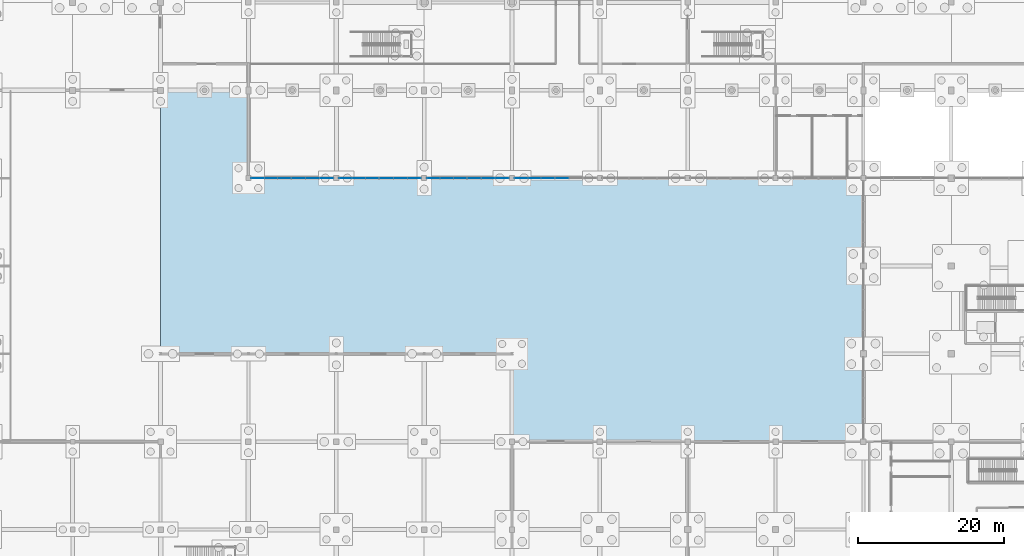
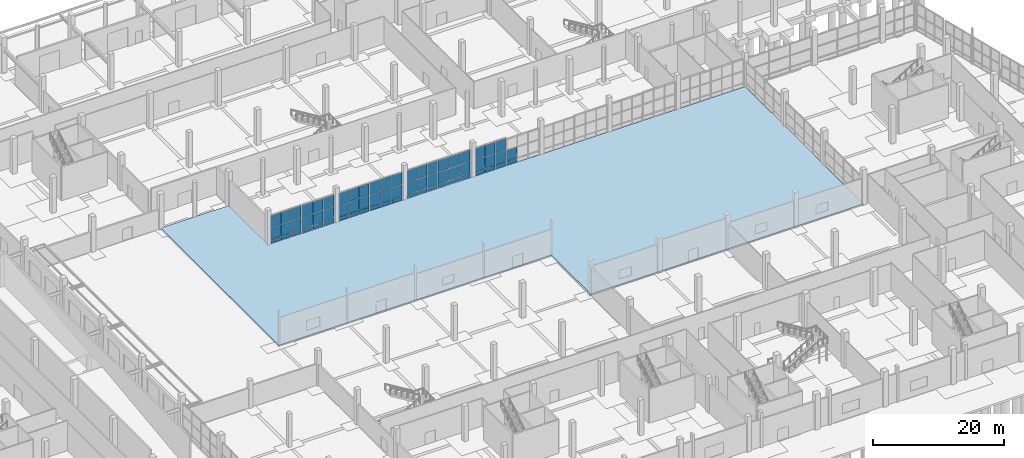
# One storey, part 64 of 117: 65 plates, 1 slab, 8 elements without a shape of their own.
"""IFC4 building model written with IfcOpenShell, lengths in metres."""

from ifc_helpers import new_model, si_unit, direction, frame, origin, origin_2d, place, context, subcontext, project, spatial, polyline, rectangle, outline, extrude, material, layer, layer_set, type_object, element, aggregate, save


model = new_model("IFC4")

# Units and contexts
model_context = context("Model", 3, precision=1e-05, world=origin(), true_north=direction((0.0, 1.0)))
body_context = subcontext(model_context, "Body", "Model", "MODEL_VIEW")
ifc_project = project(units=[si_unit("LENGTHUNIT", "METRE"), si_unit("AREAUNIT", "SQUARE_METRE"), si_unit("VOLUMEUNIT", "CUBIC_METRE"), si_unit("PLANEANGLEUNIT", "RADIAN"), si_unit("MASSUNIT", "GRAM", prefix="KILO")], contexts=[model_context])

# Site, building, storey
site_placement = place(None, origin())
site = spatial("IfcSite", under=ifc_project, at=site_placement, CompositionType="ELEMENT")
building_placement = place(site_placement, origin())
building = spatial("IfcBuilding", under=site, at=building_placement, Name="Kamomehara Wholesale Market", CompositionType="ELEMENT")
storey_placement = place(building_placement, origin())
storey = spatial("IfcBuildingStorey", under=building, at=storey_placement, Name="L00", CompositionType="ELEMENT", Elevation=0.0)

# Curtain wall, plates
ifc_material_1 = material(Name="Anodised aluminium 6063-T5", Category="aluminium")
curtain_wall_type = type_object("IfcCurtainWallType", Name="CW-UN-03", PredefinedType="NOTDEFINED", material=ifc_material_1)
curtain_wall_1_placement = place(storey_placement, origin())
curtain_wall_1 = element("IfcCurtainWall", 1, at=curtain_wall_1_placement, inside=storey, type_object=curtain_wall_type, Name="Unitised curtain wall CW-015", PredefinedType="NOTDEFINED")
ifc_material_2 = material(Name="Solar-control Low-E double glazing", Category="glass")
ifc_layer_1 = layer(ifc_material_2, 0.028076171875)
ifc_layer_set_1 = layer_set([ifc_layer_1], Name="Solar-control Low-E double glazing")
plate_type_1 = type_object("IfcPlateType", Name="CW-PNL-GLZ", PredefinedType="CURTAIN_PANEL", material=ifc_layer_set_1)
plate_1_placement = place(storey_placement, frame((82.64990234375, 95.97998046875, 0.82958984375), z_axis=(0.0, 0.0, 1.0), x_axis=(-1.0, 0.0, 0.0)))
plate_1 = element("IfcPlate", 2, at=plate_1_placement, type_object=plate_type_1, Name="Curtain panel CW-015.0.1", PredefinedType="CURTAIN_PANEL", context=body_context, shape_type="SweptSolid", body=[
    extrude(rectangle(XDim=1.820068359375, YDim=0.028076171875, at=origin_2d()), origin(), (0.0, 0.0, 1.0), 2.198974609375),
])
plate_2_placement = place(storey_placement, frame((82.64990234375, 95.97998046875, 3.08837890625), z_axis=(0.0, 0.0, 1.0), x_axis=(-1.0, 0.0, 0.0)))
plate_2 = element("IfcPlate", 3, at=plate_2_placement, type_object=plate_type_1, Name="Curtain panel CW-015.0.2", PredefinedType="CURTAIN_PANEL", context=body_context, shape_type="SweptSolid", body=[
    extrude(rectangle(XDim=1.820068359375, YDim=0.028076171875, at=origin_2d()), origin(), (0.0, 0.0, 1.0), 2.158935546875),
])
plate_3_placement = place(storey_placement, frame((80.75, 95.97998046875, 0.82958984375), z_axis=(0.0, 0.0, 1.0), x_axis=(-1.0, 0.0, 0.0)))
plate_3 = element("IfcPlate", 4, at=plate_3_placement, type_object=plate_type_1, Name="Curtain panel CW-015.1.1", PredefinedType="CURTAIN_PANEL", context=body_context, shape_type="SweptSolid", body=[
    extrude(rectangle(XDim=1.820068359375, YDim=0.028076171875, at=origin_2d()), origin(), (0.0, 0.0, 1.0), 2.198974609375),
])
plate_4_placement = place(storey_placement, frame((80.75, 95.97998046875, 3.08837890625), z_axis=(0.0, 0.0, 1.0), x_axis=(-1.0, 0.0, 0.0)))
plate_4 = element("IfcPlate", 5, at=plate_4_placement, type_object=plate_type_1, Name="Curtain panel CW-015.1.2", PredefinedType="CURTAIN_PANEL", context=body_context, shape_type="SweptSolid", body=[
    extrude(rectangle(XDim=1.820068359375, YDim=0.028076171875, at=origin_2d()), origin(), (0.0, 0.0, 1.0), 2.158935546875),
])
plate_5_placement = place(storey_placement, frame((78.85009765625, 95.97998046875, 0.82958984375), z_axis=(0.0, 0.0, 1.0), x_axis=(-1.0, 0.0, 0.0)))
plate_5 = element("IfcPlate", 6, at=plate_5_placement, type_object=plate_type_1, Name="Curtain panel CW-015.2.1", PredefinedType="CURTAIN_PANEL", context=body_context, shape_type="SweptSolid", body=[
    extrude(rectangle(XDim=1.820068359375, YDim=0.028076171875, at=origin_2d()), origin(), (0.0, 0.0, 1.0), 2.198974609375),
])
plate_6_placement = place(storey_placement, frame((78.85009765625, 95.97998046875, 3.08837890625), z_axis=(0.0, 0.0, 1.0), x_axis=(-1.0, 0.0, 0.0)))
plate_6 = element("IfcPlate", 7, at=plate_6_placement, type_object=plate_type_1, Name="Curtain panel CW-015.2.2", PredefinedType="CURTAIN_PANEL", context=body_context, shape_type="SweptSolid", body=[
    extrude(rectangle(XDim=1.820068359375, YDim=0.028076171875, at=origin_2d()), origin(), (0.0, 0.0, 1.0), 2.158935546875),
])

curtain_wall_2_placement = place(storey_placement, origin())
curtain_wall_2 = element("IfcCurtainWall", 8, at=curtain_wall_2_placement, inside=storey, type_object=curtain_wall_type, Name="Unitised curtain wall CW-016", PredefinedType="NOTDEFINED")
plate_7_placement = place(storey_placement, frame((76.89306640625, 95.97998046875, 0.82958984375), z_axis=(0.0, 0.0, 1.0), x_axis=(-1.0, 0.0, 0.0)))
plate_7 = element("IfcPlate", 9, at=plate_7_placement, type_object=plate_type_1, Name="Curtain panel CW-016.0.1", PredefinedType="CURTAIN_PANEL", context=body_context, shape_type="SweptSolid", body=[
    extrude(rectangle(XDim=1.73291015625, YDim=0.028076171875, at=origin_2d()), origin(), (0.0, 0.0, 1.0), 2.198974609375),
])
plate_8_placement = place(storey_placement, frame((76.89306640625, 95.97998046875, 3.08837890625), z_axis=(0.0, 0.0, 1.0), x_axis=(-1.0, 0.0, 0.0)))
plate_8 = element("IfcPlate", 10, at=plate_8_placement, type_object=plate_type_1, Name="Curtain panel CW-016.0.2", PredefinedType="CURTAIN_PANEL", context=body_context, shape_type="SweptSolid", body=[
    extrude(rectangle(XDim=1.73291015625, YDim=0.028076171875, at=origin_2d()), origin(), (0.0, 0.0, 1.0), 2.158935546875),
])
plate_9_placement = place(storey_placement, frame((75.080078125, 95.97998046875, 0.82958984375), z_axis=(0.0, 0.0, 1.0), x_axis=(-1.0, 0.0, 0.0)))
plate_9 = element("IfcPlate", 11, at=plate_9_placement, type_object=plate_type_1, Name="Curtain panel CW-016.1.1", PredefinedType="CURTAIN_PANEL", context=body_context, shape_type="SweptSolid", body=[
    extrude(rectangle(XDim=1.73291015625, YDim=0.028076171875, at=origin_2d()), origin(), (0.0, 0.0, 1.0), 2.198974609375),
])
plate_10_placement = place(storey_placement, frame((75.080078125, 95.97998046875, 3.08837890625), z_axis=(0.0, 0.0, 1.0), x_axis=(-1.0, 0.0, 0.0)))
plate_10 = element("IfcPlate", 12, at=plate_10_placement, type_object=plate_type_1, Name="Curtain panel CW-016.1.2", PredefinedType="CURTAIN_PANEL", context=body_context, shape_type="SweptSolid", body=[
    extrude(rectangle(XDim=1.73291015625, YDim=0.028076171875, at=origin_2d()), origin(), (0.0, 0.0, 1.0), 2.158935546875),
])
plate_11_placement = place(storey_placement, frame((73.26708984375, 95.97998046875, 0.82958984375), z_axis=(0.0, 0.0, 1.0), x_axis=(-1.0, 0.0, 0.0)))
plate_11 = element("IfcPlate", 13, at=plate_11_placement, type_object=plate_type_1, Name="Curtain panel CW-016.2.1", PredefinedType="CURTAIN_PANEL", context=body_context, shape_type="SweptSolid", body=[
    extrude(rectangle(XDim=1.73291015625, YDim=0.028076171875, at=origin_2d()), origin(), (0.0, 0.0, 1.0), 2.198974609375),
])
plate_12_placement = place(storey_placement, frame((73.26708984375, 95.97998046875, 3.08837890625), z_axis=(0.0, 0.0, 1.0), x_axis=(-1.0, 0.0, 0.0)))
plate_12 = element("IfcPlate", 14, at=plate_12_placement, type_object=plate_type_1, Name="Curtain panel CW-016.2.2", PredefinedType="CURTAIN_PANEL", context=body_context, shape_type="SweptSolid", body=[
    extrude(rectangle(XDim=1.73291015625, YDim=0.028076171875, at=origin_2d()), origin(), (0.0, 0.0, 1.0), 2.158935546875),
])

curtain_wall_3_placement = place(storey_placement, origin())
curtain_wall_3 = element("IfcCurtainWall", 15, at=curtain_wall_3_placement, inside=storey, type_object=curtain_wall_type, Name="Unitised curtain wall CW-017", PredefinedType="NOTDEFINED")
plate_13_placement = place(storey_placement, frame((94.64990234375, 95.97998046875, 0.830078125), z_axis=(0.0, 0.0, 1.0), x_axis=(-1.0, 0.0, 0.0)))
plate_13 = element("IfcPlate", 16, at=plate_13_placement, type_object=plate_type_1, Name="Curtain panel CW-017.0.1", PredefinedType="CURTAIN_PANEL", context=body_context, shape_type="SweptSolid", body=[
    extrude(rectangle(XDim=1.820068359375, YDim=0.028076171875, at=origin_2d()), origin(), (0.0, 0.0, 1.0), 2.174072265625),
])
plate_14_placement = place(storey_placement, frame((94.64990234375, 95.97998046875, 3.06396484375), z_axis=(0.0, 0.0, 1.0), x_axis=(-1.0, 0.0, 0.0)))
plate_14 = element("IfcPlate", 17, at=plate_14_placement, type_object=plate_type_1, Name="Curtain panel CW-017.0.2", PredefinedType="CURTAIN_PANEL", context=body_context, shape_type="SweptSolid", body=[
    extrude(rectangle(XDim=1.820068359375, YDim=0.028076171875, at=origin_2d()), origin(), (0.0, 0.0, 1.0), 2.134033203125),
])
plate_15_placement = place(storey_placement, frame((92.75, 95.97998046875, 0.830078125), z_axis=(0.0, 0.0, 1.0), x_axis=(-1.0, 0.0, 0.0)))
plate_15 = element("IfcPlate", 18, at=plate_15_placement, type_object=plate_type_1, Name="Curtain panel CW-017.1.1", PredefinedType="CURTAIN_PANEL", context=body_context, shape_type="SweptSolid", body=[
    extrude(rectangle(XDim=1.820068359375, YDim=0.028076171875, at=origin_2d()), origin(), (0.0, 0.0, 1.0), 2.174072265625),
])
plate_16_placement = place(storey_placement, frame((92.75, 95.97998046875, 3.06396484375), z_axis=(0.0, 0.0, 1.0), x_axis=(-1.0, 0.0, 0.0)))
plate_16 = element("IfcPlate", 19, at=plate_16_placement, type_object=plate_type_1, Name="Curtain panel CW-017.1.2", PredefinedType="CURTAIN_PANEL", context=body_context, shape_type="SweptSolid", body=[
    extrude(rectangle(XDim=1.820068359375, YDim=0.028076171875, at=origin_2d()), origin(), (0.0, 0.0, 1.0), 2.134033203125),
])
plate_17_placement = place(storey_placement, frame((90.85009765625, 95.97998046875, 0.830078125), z_axis=(0.0, 0.0, 1.0), x_axis=(-1.0, 0.0, 0.0)))
plate_17 = element("IfcPlate", 20, at=plate_17_placement, type_object=plate_type_1, Name="Curtain panel CW-017.2.1", PredefinedType="CURTAIN_PANEL", context=body_context, shape_type="SweptSolid", body=[
    extrude(rectangle(XDim=1.820068359375, YDim=0.028076171875, at=origin_2d()), origin(), (0.0, 0.0, 1.0), 2.174072265625),
])
plate_18_placement = place(storey_placement, frame((90.85009765625, 95.97998046875, 3.06396484375), z_axis=(0.0, 0.0, 1.0), x_axis=(-1.0, 0.0, 0.0)))
plate_18 = element("IfcPlate", 21, at=plate_18_placement, type_object=plate_type_1, Name="Curtain panel CW-017.2.2", PredefinedType="CURTAIN_PANEL", context=body_context, shape_type="SweptSolid", body=[
    extrude(rectangle(XDim=1.820068359375, YDim=0.028076171875, at=origin_2d()), origin(), (0.0, 0.0, 1.0), 2.134033203125),
])

curtain_wall_4_placement = place(storey_placement, origin())
curtain_wall_4 = element("IfcCurtainWall", 22, at=curtain_wall_4_placement, inside=storey, type_object=curtain_wall_type, Name="Unitised curtain wall CW-018", PredefinedType="NOTDEFINED")
plate_19_placement = place(storey_placement, frame((88.89306640625, 95.97998046875, 0.830078125), z_axis=(0.0, 0.0, 1.0), x_axis=(-1.0, 0.0, 0.0)))
plate_19 = element("IfcPlate", 23, at=plate_19_placement, type_object=plate_type_1, Name="Curtain panel CW-018.0.1", PredefinedType="CURTAIN_PANEL", context=body_context, shape_type="SweptSolid", body=[
    extrude(rectangle(XDim=1.73291015625, YDim=0.028076171875, at=origin_2d()), origin(), (0.0, 0.0, 1.0), 2.174072265625),
])
plate_20_placement = place(storey_placement, frame((88.89306640625, 95.97998046875, 3.06396484375), z_axis=(0.0, 0.0, 1.0), x_axis=(-1.0, 0.0, 0.0)))
plate_20 = element("IfcPlate", 24, at=plate_20_placement, type_object=plate_type_1, Name="Curtain panel CW-018.0.2", PredefinedType="CURTAIN_PANEL", context=body_context, shape_type="SweptSolid", body=[
    extrude(rectangle(XDim=1.73291015625, YDim=0.028076171875, at=origin_2d()), origin(), (0.0, 0.0, 1.0), 2.134033203125),
])
plate_21_placement = place(storey_placement, frame((87.080078125, 95.97998046875, 0.830078125), z_axis=(0.0, 0.0, 1.0), x_axis=(-1.0, 0.0, 0.0)))
plate_21 = element("IfcPlate", 25, at=plate_21_placement, type_object=plate_type_1, Name="Curtain panel CW-018.1.1", PredefinedType="CURTAIN_PANEL", context=body_context, shape_type="SweptSolid", body=[
    extrude(rectangle(XDim=1.73291015625, YDim=0.028076171875, at=origin_2d()), origin(), (0.0, 0.0, 1.0), 2.174072265625),
])
plate_22_placement = place(storey_placement, frame((87.080078125, 95.97998046875, 3.06396484375), z_axis=(0.0, 0.0, 1.0), x_axis=(-1.0, 0.0, 0.0)))
plate_22 = element("IfcPlate", 26, at=plate_22_placement, type_object=plate_type_1, Name="Curtain panel CW-018.1.2", PredefinedType="CURTAIN_PANEL", context=body_context, shape_type="SweptSolid", body=[
    extrude(rectangle(XDim=1.73291015625, YDim=0.028076171875, at=origin_2d()), origin(), (0.0, 0.0, 1.0), 2.134033203125),
])
plate_23_placement = place(storey_placement, frame((85.26708984375, 95.97998046875, 0.830078125), z_axis=(0.0, 0.0, 1.0), x_axis=(-1.0, 0.0, 0.0)))
plate_23 = element("IfcPlate", 27, at=plate_23_placement, type_object=plate_type_1, Name="Curtain panel CW-018.2.1", PredefinedType="CURTAIN_PANEL", context=body_context, shape_type="SweptSolid", body=[
    extrude(rectangle(XDim=1.73291015625, YDim=0.028076171875, at=origin_2d()), origin(), (0.0, 0.0, 1.0), 2.174072265625),
])
plate_24_placement = place(storey_placement, frame((85.26708984375, 95.97998046875, 3.06396484375), z_axis=(0.0, 0.0, 1.0), x_axis=(-1.0, 0.0, 0.0)))
plate_24 = element("IfcPlate", 28, at=plate_24_placement, type_object=plate_type_1, Name="Curtain panel CW-018.2.2", PredefinedType="CURTAIN_PANEL", context=body_context, shape_type="SweptSolid", body=[
    extrude(rectangle(XDim=1.73291015625, YDim=0.028076171875, at=origin_2d()), origin(), (0.0, 0.0, 1.0), 2.134033203125),
])

curtain_wall_5_placement = place(storey_placement, origin())
curtain_wall_5 = element("IfcCurtainWall", 29, at=curtain_wall_5_placement, inside=storey, type_object=curtain_wall_type, Name="Unitised curtain wall CW-019", PredefinedType="NOTDEFINED")
plate_25_placement = place(storey_placement, frame((106.64990234375, 95.97998046875, 0.83056640625), z_axis=(0.0, 0.0, 1.0), x_axis=(-1.0, 0.0, 0.0)))
plate_25 = element("IfcPlate", 30, at=plate_25_placement, type_object=plate_type_1, Name="Curtain panel CW-019.0.1", PredefinedType="CURTAIN_PANEL", context=body_context, shape_type="SweptSolid", body=[
    extrude(rectangle(XDim=1.820068359375, YDim=0.028076171875, at=origin_2d()), origin(), (0.0, 0.0, 1.0), 2.178955078125),
])
plate_26_placement = place(storey_placement, frame((106.64990234375, 95.97998046875, 3.0693359375), z_axis=(0.0, 0.0, 1.0), x_axis=(-1.0, 0.0, 0.0)))
plate_26 = element("IfcPlate", 31, at=plate_26_placement, type_object=plate_type_1, Name="Curtain panel CW-019.0.2", PredefinedType="CURTAIN_PANEL", context=body_context, shape_type="SweptSolid", body=[
    extrude(rectangle(XDim=1.820068359375, YDim=0.028076171875, at=origin_2d()), origin(), (0.0, 0.0, 1.0), 2.138916015625),
])
plate_27_placement = place(storey_placement, frame((104.75, 95.97998046875, 0.83056640625), z_axis=(0.0, 0.0, 1.0), x_axis=(-1.0, 0.0, 0.0)))
plate_27 = element("IfcPlate", 32, at=plate_27_placement, type_object=plate_type_1, Name="Curtain panel CW-019.1.1", PredefinedType="CURTAIN_PANEL", context=body_context, shape_type="SweptSolid", body=[
    extrude(rectangle(XDim=1.820068359375, YDim=0.028076171875, at=origin_2d()), origin(), (0.0, 0.0, 1.0), 2.178955078125),
])
plate_28_placement = place(storey_placement, frame((104.75, 95.97998046875, 3.0693359375), z_axis=(0.0, 0.0, 1.0), x_axis=(-1.0, 0.0, 0.0)))
plate_28 = element("IfcPlate", 33, at=plate_28_placement, type_object=plate_type_1, Name="Curtain panel CW-019.1.2", PredefinedType="CURTAIN_PANEL", context=body_context, shape_type="SweptSolid", body=[
    extrude(rectangle(XDim=1.820068359375, YDim=0.028076171875, at=origin_2d()), origin(), (0.0, 0.0, 1.0), 2.138916015625),
])
plate_29_placement = place(storey_placement, frame((102.85009765625, 95.97998046875, 0.83056640625), z_axis=(0.0, 0.0, 1.0), x_axis=(-1.0, 0.0, 0.0)))
plate_29 = element("IfcPlate", 34, at=plate_29_placement, type_object=plate_type_1, Name="Curtain panel CW-019.2.1", PredefinedType="CURTAIN_PANEL", context=body_context, shape_type="SweptSolid", body=[
    extrude(rectangle(XDim=1.820068359375, YDim=0.028076171875, at=origin_2d()), origin(), (0.0, 0.0, 1.0), 2.178955078125),
])
plate_30_placement = place(storey_placement, frame((102.85009765625, 95.97998046875, 3.0693359375), z_axis=(0.0, 0.0, 1.0), x_axis=(-1.0, 0.0, 0.0)))
plate_30 = element("IfcPlate", 35, at=plate_30_placement, type_object=plate_type_1, Name="Curtain panel CW-019.2.2", PredefinedType="CURTAIN_PANEL", context=body_context, shape_type="SweptSolid", body=[
    extrude(rectangle(XDim=1.820068359375, YDim=0.028076171875, at=origin_2d()), origin(), (0.0, 0.0, 1.0), 2.138916015625),
])

curtain_wall_6_placement = place(storey_placement, origin())
curtain_wall_6 = element("IfcCurtainWall", 36, at=curtain_wall_6_placement, inside=storey, type_object=curtain_wall_type, Name="Unitised curtain wall CW-020", PredefinedType="NOTDEFINED")
plate_31_placement = place(storey_placement, frame((100.89306640625, 95.97998046875, 0.83056640625), z_axis=(0.0, 0.0, 1.0), x_axis=(-1.0, 0.0, 0.0)))
plate_31 = element("IfcPlate", 37, at=plate_31_placement, type_object=plate_type_1, Name="Curtain panel CW-020.0.1", PredefinedType="CURTAIN_PANEL", context=body_context, shape_type="SweptSolid", body=[
    extrude(rectangle(XDim=1.73291015625, YDim=0.028076171875, at=origin_2d()), origin(), (0.0, 0.0, 1.0), 2.178955078125),
])
plate_32_placement = place(storey_placement, frame((100.89306640625, 95.97998046875, 3.0693359375), z_axis=(0.0, 0.0, 1.0), x_axis=(-1.0, 0.0, 0.0)))
plate_32 = element("IfcPlate", 38, at=plate_32_placement, type_object=plate_type_1, Name="Curtain panel CW-020.0.2", PredefinedType="CURTAIN_PANEL", context=body_context, shape_type="SweptSolid", body=[
    extrude(rectangle(XDim=1.73291015625, YDim=0.028076171875, at=origin_2d()), origin(), (0.0, 0.0, 1.0), 2.138916015625),
])
plate_33_placement = place(storey_placement, frame((99.080078125, 95.97998046875, 0.83056640625), z_axis=(0.0, 0.0, 1.0), x_axis=(-1.0, 0.0, 0.0)))
plate_33 = element("IfcPlate", 39, at=plate_33_placement, type_object=plate_type_1, Name="Curtain panel CW-020.1.1", PredefinedType="CURTAIN_PANEL", context=body_context, shape_type="SweptSolid", body=[
    extrude(rectangle(XDim=1.73291015625, YDim=0.028076171875, at=origin_2d()), origin(), (0.0, 0.0, 1.0), 2.178955078125),
])
plate_34_placement = place(storey_placement, frame((99.080078125, 95.97998046875, 3.0693359375), z_axis=(0.0, 0.0, 1.0), x_axis=(-1.0, 0.0, 0.0)))
plate_34 = element("IfcPlate", 40, at=plate_34_placement, type_object=plate_type_1, Name="Curtain panel CW-020.1.2", PredefinedType="CURTAIN_PANEL", context=body_context, shape_type="SweptSolid", body=[
    extrude(rectangle(XDim=1.73291015625, YDim=0.028076171875, at=origin_2d()), origin(), (0.0, 0.0, 1.0), 2.138916015625),
])
plate_35_placement = place(storey_placement, frame((97.26708984375, 95.97998046875, 0.83056640625), z_axis=(0.0, 0.0, 1.0), x_axis=(-1.0, 0.0, 0.0)))
plate_35 = element("IfcPlate", 41, at=plate_35_placement, type_object=plate_type_1, Name="Curtain panel CW-020.2.1", PredefinedType="CURTAIN_PANEL", context=body_context, shape_type="SweptSolid", body=[
    extrude(rectangle(XDim=1.73291015625, YDim=0.028076171875, at=origin_2d()), origin(), (0.0, 0.0, 1.0), 2.178955078125),
])
plate_36_placement = place(storey_placement, frame((97.26708984375, 95.97998046875, 3.0693359375), z_axis=(0.0, 0.0, 1.0), x_axis=(-1.0, 0.0, 0.0)))
plate_36 = element("IfcPlate", 42, at=plate_36_placement, type_object=plate_type_1, Name="Curtain panel CW-020.2.2", PredefinedType="CURTAIN_PANEL", context=body_context, shape_type="SweptSolid", body=[
    extrude(rectangle(XDim=1.73291015625, YDim=0.028076171875, at=origin_2d()), origin(), (0.0, 0.0, 1.0), 2.138916015625),
])

# Curtain wall, plate
curtain_wall_7_placement = place(storey_placement, origin())
curtain_wall_7 = element("IfcCurtainWall", 43, at=curtain_wall_7_placement, inside=storey, type_object=curtain_wall_type, Name="Unitised curtain wall CW-021", PredefinedType="NOTDEFINED")
plate_37_placement = place(storey_placement, frame((114.85009765625, 95.97998046875, 0.83056640625), z_axis=(0.0, 0.0, 1.0), x_axis=(-1.0, 0.0, 0.0)))
plate_37 = element("IfcPlate", 44, at=plate_37_placement, type_object=plate_type_1, Name="Curtain panel CW-021.2.1", PredefinedType="CURTAIN_PANEL", context=body_context, shape_type="SweptSolid", body=[
    extrude(rectangle(XDim=1.820068359375, YDim=0.028076171875, at=origin_2d()), origin(), (0.0, 0.0, 1.0), 2.029052734375),
])

# Curtain wall, plates
curtain_wall_8_placement = place(storey_placement, origin())
curtain_wall_8 = element("IfcCurtainWall", 45, at=curtain_wall_8_placement, inside=storey, type_object=curtain_wall_type, Name="Unitised curtain wall CW-022", PredefinedType="NOTDEFINED")
plate_38_placement = place(storey_placement, frame((112.89306640625, 95.97998046875, 0.830078125), z_axis=(0.0, 0.0, 1.0), x_axis=(-1.0, 0.0, 0.0)))
plate_38 = element("IfcPlate", 46, at=plate_38_placement, type_object=plate_type_1, Name="Curtain panel CW-022.0.1", PredefinedType="CURTAIN_PANEL", context=body_context, shape_type="SweptSolid", body=[
    extrude(rectangle(XDim=1.73291015625, YDim=0.028076171875, at=origin_2d()), origin(), (0.0, 0.0, 1.0), 2.154052734375),
])
plate_39_placement = place(storey_placement, frame((112.89306640625, 95.97998046875, 3.0439453125), z_axis=(0.0, 0.0, 1.0), x_axis=(-1.0, 0.0, 0.0)))
plate_39 = element("IfcPlate", 47, at=plate_39_placement, type_object=plate_type_1, Name="Curtain panel CW-022.0.2", PredefinedType="CURTAIN_PANEL", context=body_context, shape_type="SweptSolid", body=[
    extrude(rectangle(XDim=1.73291015625, YDim=0.028076171875, at=origin_2d()), origin(), (0.0, 0.0, 1.0), 2.114013671875),
])
plate_40_placement = place(storey_placement, frame((111.080078125, 95.97998046875, 0.830078125), z_axis=(0.0, 0.0, 1.0), x_axis=(-1.0, 0.0, 0.0)))
plate_40 = element("IfcPlate", 48, at=plate_40_placement, type_object=plate_type_1, Name="Curtain panel CW-022.1.1", PredefinedType="CURTAIN_PANEL", context=body_context, shape_type="SweptSolid", body=[
    extrude(rectangle(XDim=1.73291015625, YDim=0.028076171875, at=origin_2d()), origin(), (0.0, 0.0, 1.0), 2.154052734375),
])
plate_41_placement = place(storey_placement, frame((111.080078125, 95.97998046875, 3.0439453125), z_axis=(0.0, 0.0, 1.0), x_axis=(-1.0, 0.0, 0.0)))
plate_41 = element("IfcPlate", 49, at=plate_41_placement, type_object=plate_type_1, Name="Curtain panel CW-022.1.2", PredefinedType="CURTAIN_PANEL", context=body_context, shape_type="SweptSolid", body=[
    extrude(rectangle(XDim=1.73291015625, YDim=0.028076171875, at=origin_2d()), origin(), (0.0, 0.0, 1.0), 2.114013671875),
])
plate_42_placement = place(storey_placement, frame((109.26708984375, 95.97998046875, 0.830078125), z_axis=(0.0, 0.0, 1.0), x_axis=(-1.0, 0.0, 0.0)))
plate_42 = element("IfcPlate", 50, at=plate_42_placement, type_object=plate_type_1, Name="Curtain panel CW-022.2.1", PredefinedType="CURTAIN_PANEL", context=body_context, shape_type="SweptSolid", body=[
    extrude(rectangle(XDim=1.73291015625, YDim=0.028076171875, at=origin_2d()), origin(), (0.0, 0.0, 1.0), 2.154052734375),
])
plate_43_placement = place(storey_placement, frame((109.26708984375, 95.97998046875, 3.0439453125), z_axis=(0.0, 0.0, 1.0), x_axis=(-1.0, 0.0, 0.0)))
plate_43 = element("IfcPlate", 51, at=plate_43_placement, type_object=plate_type_1, Name="Curtain panel CW-022.2.2", PredefinedType="CURTAIN_PANEL", context=body_context, shape_type="SweptSolid", body=[
    extrude(rectangle(XDim=1.73291015625, YDim=0.028076171875, at=origin_2d()), origin(), (0.0, 0.0, 1.0), 2.114013671875),
])

# Plate
ifc_material_3 = material(Name="Insulated aluminium spandrel panel", Category="aluminium")
ifc_layer_2 = layer(ifc_material_3, 0.0400390625)
ifc_layer_set_2 = layer_set([ifc_layer_2], Name="Insulated aluminium spandrel panel")
plate_type_2 = type_object("IfcPlateType", Name="CW-PNL-SPN", PredefinedType="CURTAIN_PANEL", material=ifc_layer_set_2)
plate_44_placement = place(storey_placement, frame((82.64990234375, 95.97998046875, 0.06982421875), z_axis=(0.0, 0.0, 1.0), x_axis=(-1.0, 0.0, 0.0)))
plate_44 = element("IfcPlate", 52, at=plate_44_placement, type_object=plate_type_2, Name="Curtain panel CW-015.0.0", PredefinedType="CURTAIN_PANEL", context=body_context, shape_type="SweptSolid", body=[
    extrude(rectangle(XDim=1.820068359375, YDim=0.0400390625, at=origin_2d()), origin(), (0.0, 0.0, 1.0), 0.699951171875),
])

plate_45_placement = place(storey_placement, frame((80.75, 95.97998046875, 0.06982421875), z_axis=(0.0, 0.0, 1.0), x_axis=(-1.0, 0.0, 0.0)))
plate_45 = element("IfcPlate", 53, at=plate_45_placement, type_object=plate_type_2, Name="Curtain panel CW-015.1.0", PredefinedType="CURTAIN_PANEL", context=body_context, shape_type="SweptSolid", body=[
    extrude(rectangle(XDim=1.820068359375, YDim=0.0400390625, at=origin_2d()), origin(), (0.0, 0.0, 1.0), 0.699951171875),
])

plate_46_placement = place(storey_placement, frame((78.85009765625, 95.97998046875, 0.06982421875), z_axis=(0.0, 0.0, 1.0), x_axis=(-1.0, 0.0, 0.0)))
plate_46 = element("IfcPlate", 54, at=plate_46_placement, type_object=plate_type_2, Name="Curtain panel CW-015.2.0", PredefinedType="CURTAIN_PANEL", context=body_context, shape_type="SweptSolid", body=[
    extrude(rectangle(XDim=1.820068359375, YDim=0.0400390625, at=origin_2d()), origin(), (0.0, 0.0, 1.0), 0.699951171875),
])

aggregate(curtain_wall_1, [plate_44, plate_1, plate_2, plate_45, plate_3, plate_4, plate_46, plate_5, plate_6])

plate_47_placement = place(storey_placement, frame((76.89306640625, 95.97998046875, 0.06982421875), z_axis=(0.0, 0.0, 1.0), x_axis=(-1.0, 0.0, 0.0)))
plate_47 = element("IfcPlate", 55, at=plate_47_placement, type_object=plate_type_2, Name="Curtain panel CW-016.0.0", PredefinedType="CURTAIN_PANEL", context=body_context, shape_type="SweptSolid", body=[
    extrude(rectangle(XDim=1.73291015625, YDim=0.0400390625, at=origin_2d()), origin(), (0.0, 0.0, 1.0), 0.699951171875),
])

plate_48_placement = place(storey_placement, frame((75.080078125, 95.97998046875, 0.06982421875), z_axis=(0.0, 0.0, 1.0), x_axis=(-1.0, 0.0, 0.0)))
plate_48 = element("IfcPlate", 56, at=plate_48_placement, type_object=plate_type_2, Name="Curtain panel CW-016.1.0", PredefinedType="CURTAIN_PANEL", context=body_context, shape_type="SweptSolid", body=[
    extrude(rectangle(XDim=1.73291015625, YDim=0.0400390625, at=origin_2d()), origin(), (0.0, 0.0, 1.0), 0.699951171875),
])

plate_49_placement = place(storey_placement, frame((73.26708984375, 95.97998046875, 0.06982421875), z_axis=(0.0, 0.0, 1.0), x_axis=(-1.0, 0.0, 0.0)))
plate_49 = element("IfcPlate", 57, at=plate_49_placement, type_object=plate_type_2, Name="Curtain panel CW-016.2.0", PredefinedType="CURTAIN_PANEL", context=body_context, shape_type="SweptSolid", body=[
    extrude(rectangle(XDim=1.73291015625, YDim=0.0400390625, at=origin_2d()), origin(), (0.0, 0.0, 1.0), 0.699951171875),
])

aggregate(curtain_wall_2, [plate_47, plate_7, plate_8, plate_48, plate_9, plate_10, plate_49, plate_11, plate_12])

plate_50_placement = place(storey_placement, frame((94.64990234375, 95.97998046875, 0.06982421875), z_axis=(0.0, 0.0, 1.0), x_axis=(-1.0, 0.0, 0.0)))
plate_50 = element("IfcPlate", 58, at=plate_50_placement, type_object=plate_type_2, Name="Curtain panel CW-017.0.0", PredefinedType="CURTAIN_PANEL", context=body_context, shape_type="SweptSolid", body=[
    extrude(rectangle(XDim=1.820068359375, YDim=0.0400390625, at=origin_2d()), origin(), (0.0, 0.0, 1.0), 0.699951171875),
])

plate_51_placement = place(storey_placement, frame((92.75, 95.97998046875, 0.06982421875), z_axis=(0.0, 0.0, 1.0), x_axis=(-1.0, 0.0, 0.0)))
plate_51 = element("IfcPlate", 59, at=plate_51_placement, type_object=plate_type_2, Name="Curtain panel CW-017.1.0", PredefinedType="CURTAIN_PANEL", context=body_context, shape_type="SweptSolid", body=[
    extrude(rectangle(XDim=1.820068359375, YDim=0.0400390625, at=origin_2d()), origin(), (0.0, 0.0, 1.0), 0.699951171875),
])

plate_52_placement = place(storey_placement, frame((90.85009765625, 95.97998046875, 0.06982421875), z_axis=(0.0, 0.0, 1.0), x_axis=(-1.0, 0.0, 0.0)))
plate_52 = element("IfcPlate", 60, at=plate_52_placement, type_object=plate_type_2, Name="Curtain panel CW-017.2.0", PredefinedType="CURTAIN_PANEL", context=body_context, shape_type="SweptSolid", body=[
    extrude(rectangle(XDim=1.820068359375, YDim=0.0400390625, at=origin_2d()), origin(), (0.0, 0.0, 1.0), 0.699951171875),
])

aggregate(curtain_wall_3, [plate_50, plate_13, plate_14, plate_51, plate_15, plate_16, plate_52, plate_17, plate_18])

plate_53_placement = place(storey_placement, frame((88.89306640625, 95.97998046875, 0.06982421875), z_axis=(0.0, 0.0, 1.0), x_axis=(-1.0, 0.0, 0.0)))
plate_53 = element("IfcPlate", 61, at=plate_53_placement, type_object=plate_type_2, Name="Curtain panel CW-018.0.0", PredefinedType="CURTAIN_PANEL", context=body_context, shape_type="SweptSolid", body=[
    extrude(rectangle(XDim=1.73291015625, YDim=0.0400390625, at=origin_2d()), origin(), (0.0, 0.0, 1.0), 0.699951171875),
])

plate_54_placement = place(storey_placement, frame((87.080078125, 95.97998046875, 0.06982421875), z_axis=(0.0, 0.0, 1.0), x_axis=(-1.0, 0.0, 0.0)))
plate_54 = element("IfcPlate", 62, at=plate_54_placement, type_object=plate_type_2, Name="Curtain panel CW-018.1.0", PredefinedType="CURTAIN_PANEL", context=body_context, shape_type="SweptSolid", body=[
    extrude(rectangle(XDim=1.73291015625, YDim=0.0400390625, at=origin_2d()), origin(), (0.0, 0.0, 1.0), 0.699951171875),
])

plate_55_placement = place(storey_placement, frame((85.26708984375, 95.97998046875, 0.06982421875), z_axis=(0.0, 0.0, 1.0), x_axis=(-1.0, 0.0, 0.0)))
plate_55 = element("IfcPlate", 63, at=plate_55_placement, type_object=plate_type_2, Name="Curtain panel CW-018.2.0", PredefinedType="CURTAIN_PANEL", context=body_context, shape_type="SweptSolid", body=[
    extrude(rectangle(XDim=1.73291015625, YDim=0.0400390625, at=origin_2d()), origin(), (0.0, 0.0, 1.0), 0.699951171875),
])

aggregate(curtain_wall_4, [plate_53, plate_19, plate_20, plate_54, plate_21, plate_22, plate_55, plate_23, plate_24])

plate_56_placement = place(storey_placement, frame((106.64990234375, 95.97998046875, 0.06982421875), z_axis=(0.0, 0.0, 1.0), x_axis=(-1.0, 0.0, 0.0)))
plate_56 = element("IfcPlate", 64, at=plate_56_placement, type_object=plate_type_2, Name="Curtain panel CW-019.0.0", PredefinedType="CURTAIN_PANEL", context=body_context, shape_type="SweptSolid", body=[
    extrude(rectangle(XDim=1.820068359375, YDim=0.0400390625, at=origin_2d()), origin(), (0.0, 0.0, 1.0), 0.699951171875),
])

plate_57_placement = place(storey_placement, frame((104.75, 95.97998046875, 0.06982421875), z_axis=(0.0, 0.0, 1.0), x_axis=(-1.0, 0.0, 0.0)))
plate_57 = element("IfcPlate", 65, at=plate_57_placement, type_object=plate_type_2, Name="Curtain panel CW-019.1.0", PredefinedType="CURTAIN_PANEL", context=body_context, shape_type="SweptSolid", body=[
    extrude(rectangle(XDim=1.820068359375, YDim=0.0400390625, at=origin_2d()), origin(), (0.0, 0.0, 1.0), 0.699951171875),
])

plate_58_placement = place(storey_placement, frame((102.85009765625, 95.97998046875, 0.06982421875), z_axis=(0.0, 0.0, 1.0), x_axis=(-1.0, 0.0, 0.0)))
plate_58 = element("IfcPlate", 66, at=plate_58_placement, type_object=plate_type_2, Name="Curtain panel CW-019.2.0", PredefinedType="CURTAIN_PANEL", context=body_context, shape_type="SweptSolid", body=[
    extrude(rectangle(XDim=1.820068359375, YDim=0.0400390625, at=origin_2d()), origin(), (0.0, 0.0, 1.0), 0.699951171875),
])

aggregate(curtain_wall_5, [plate_56, plate_25, plate_26, plate_57, plate_27, plate_28, plate_58, plate_29, plate_30])

plate_59_placement = place(storey_placement, frame((100.89306640625, 95.97998046875, 0.06982421875), z_axis=(0.0, 0.0, 1.0), x_axis=(-1.0, 0.0, 0.0)))
plate_59 = element("IfcPlate", 67, at=plate_59_placement, type_object=plate_type_2, Name="Curtain panel CW-020.0.0", PredefinedType="CURTAIN_PANEL", context=body_context, shape_type="SweptSolid", body=[
    extrude(rectangle(XDim=1.73291015625, YDim=0.0400390625, at=origin_2d()), origin(), (0.0, 0.0, 1.0), 0.699951171875),
])

plate_60_placement = place(storey_placement, frame((99.080078125, 95.97998046875, 0.06982421875), z_axis=(0.0, 0.0, 1.0), x_axis=(-1.0, 0.0, 0.0)))
plate_60 = element("IfcPlate", 68, at=plate_60_placement, type_object=plate_type_2, Name="Curtain panel CW-020.1.0", PredefinedType="CURTAIN_PANEL", context=body_context, shape_type="SweptSolid", body=[
    extrude(rectangle(XDim=1.73291015625, YDim=0.0400390625, at=origin_2d()), origin(), (0.0, 0.0, 1.0), 0.699951171875),
])

plate_61_placement = place(storey_placement, frame((97.26708984375, 95.97998046875, 0.06982421875), z_axis=(0.0, 0.0, 1.0), x_axis=(-1.0, 0.0, 0.0)))
plate_61 = element("IfcPlate", 69, at=plate_61_placement, type_object=plate_type_2, Name="Curtain panel CW-020.2.0", PredefinedType="CURTAIN_PANEL", context=body_context, shape_type="SweptSolid", body=[
    extrude(rectangle(XDim=1.73291015625, YDim=0.0400390625, at=origin_2d()), origin(), (0.0, 0.0, 1.0), 0.699951171875),
])

aggregate(curtain_wall_6, [plate_59, plate_31, plate_32, plate_60, plate_33, plate_34, plate_61, plate_35, plate_36])

plate_62_placement = place(storey_placement, frame((114.85009765625, 95.97998046875, 0.06982421875), z_axis=(0.0, 0.0, 1.0), x_axis=(-1.0, 0.0, 0.0)))
plate_62 = element("IfcPlate", 70, at=plate_62_placement, type_object=plate_type_2, Name="Curtain panel CW-021.2.0", PredefinedType="CURTAIN_PANEL", context=body_context, shape_type="SweptSolid", body=[
    extrude(rectangle(XDim=1.820068359375, YDim=0.0400390625, at=origin_2d()), origin(), (0.0, 0.0, 1.0), 0.699951171875),
])

aggregate(curtain_wall_7, [plate_62, plate_37])

plate_63_placement = place(storey_placement, frame((112.89306640625, 95.97998046875, 0.06982421875), z_axis=(0.0, 0.0, 1.0), x_axis=(-1.0, 0.0, 0.0)))
plate_63 = element("IfcPlate", 71, at=plate_63_placement, type_object=plate_type_2, Name="Curtain panel CW-022.0.0", PredefinedType="CURTAIN_PANEL", context=body_context, shape_type="SweptSolid", body=[
    extrude(rectangle(XDim=1.73291015625, YDim=0.0400390625, at=origin_2d()), origin(), (0.0, 0.0, 1.0), 0.699951171875),
])

plate_64_placement = place(storey_placement, frame((111.080078125, 95.97998046875, 0.06982421875), z_axis=(0.0, 0.0, 1.0), x_axis=(-1.0, 0.0, 0.0)))
plate_64 = element("IfcPlate", 72, at=plate_64_placement, type_object=plate_type_2, Name="Curtain panel CW-022.1.0", PredefinedType="CURTAIN_PANEL", context=body_context, shape_type="SweptSolid", body=[
    extrude(rectangle(XDim=1.73291015625, YDim=0.0400390625, at=origin_2d()), origin(), (0.0, 0.0, 1.0), 0.699951171875),
])

plate_65_placement = place(storey_placement, frame((109.26708984375, 95.97998046875, 0.06982421875), z_axis=(0.0, 0.0, 1.0), x_axis=(-1.0, 0.0, 0.0)))
plate_65 = element("IfcPlate", 73, at=plate_65_placement, type_object=plate_type_2, Name="Curtain panel CW-022.2.0", PredefinedType="CURTAIN_PANEL", context=body_context, shape_type="SweptSolid", body=[
    extrude(rectangle(XDim=1.73291015625, YDim=0.0400390625, at=origin_2d()), origin(), (0.0, 0.0, 1.0), 0.699951171875),
])

aggregate(curtain_wall_8, [plate_63, plate_38, plate_39, plate_64, plate_40, plate_41, plate_65, plate_42, plate_43])

# Slab
ifc_material_4 = material(Name="Concrete Fc30 (C30/37)", Category="concrete")
ifc_layer_3 = layer(ifc_material_4, 0.324951171875)
ifc_layer_set_3 = layer_set([ifc_layer_3], Name="Concrete Fc30 (C30/37)")
slab_type = type_object("IfcSlabType", Name="SLB-EXT-220", PredefinedType="FLOOR", material=ifc_layer_set_3)
slab_placement = place(storey_placement, frame((0.0, 0.0, -0.324951171875)))
element("IfcSlab", 74, at=slab_placement, inside=storey, type_object=slab_type, Name="External slab OSLB-L00-COURT", PredefinedType="FLOOR", context=body_context, shape_type="SweptSolid", body=[
    extrude(outline(polyline([(60.0, 72.0), (108.0, 72.0), (108.0, 60.0), (156.0, 60.0), (156.0, 96.0), (72.0, 96.0), (72.0, 108.0), (60.0, 108.0), (60.0, 72.0)])), origin(), (0.0, 0.0, 1.0), 0.324951171875),
])

save(model, "model.ifc")
